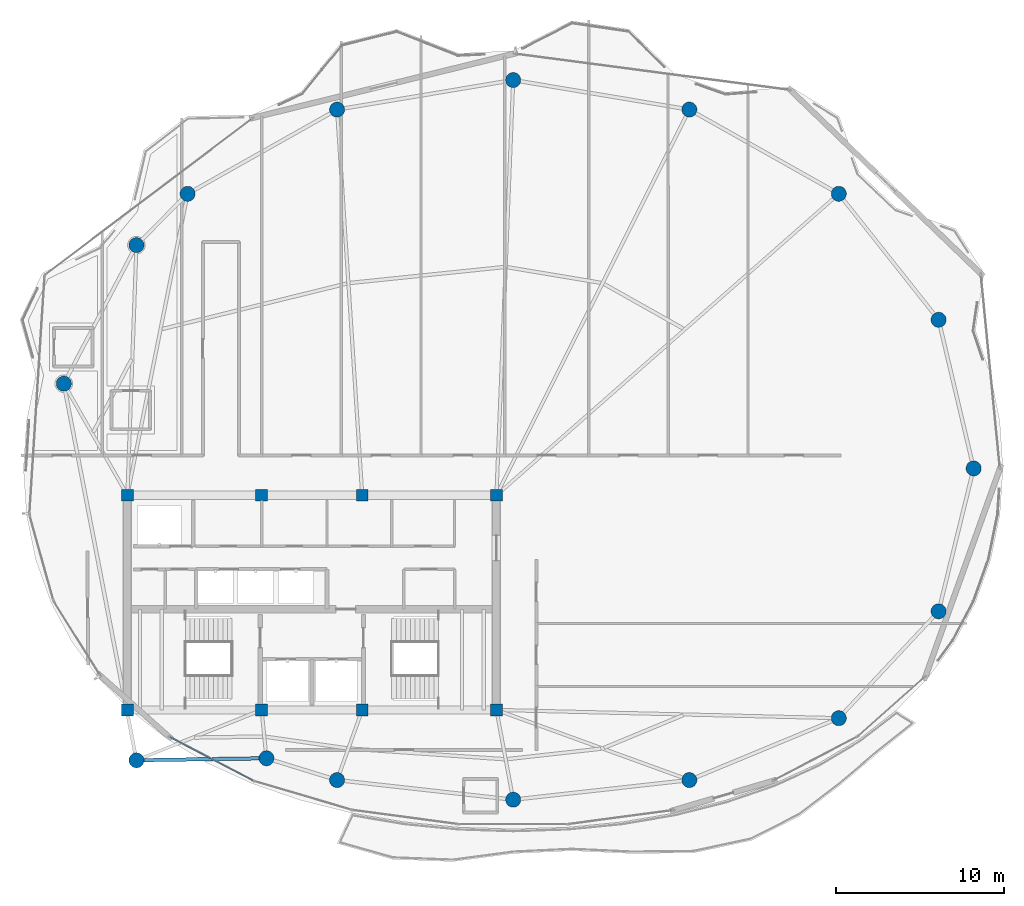
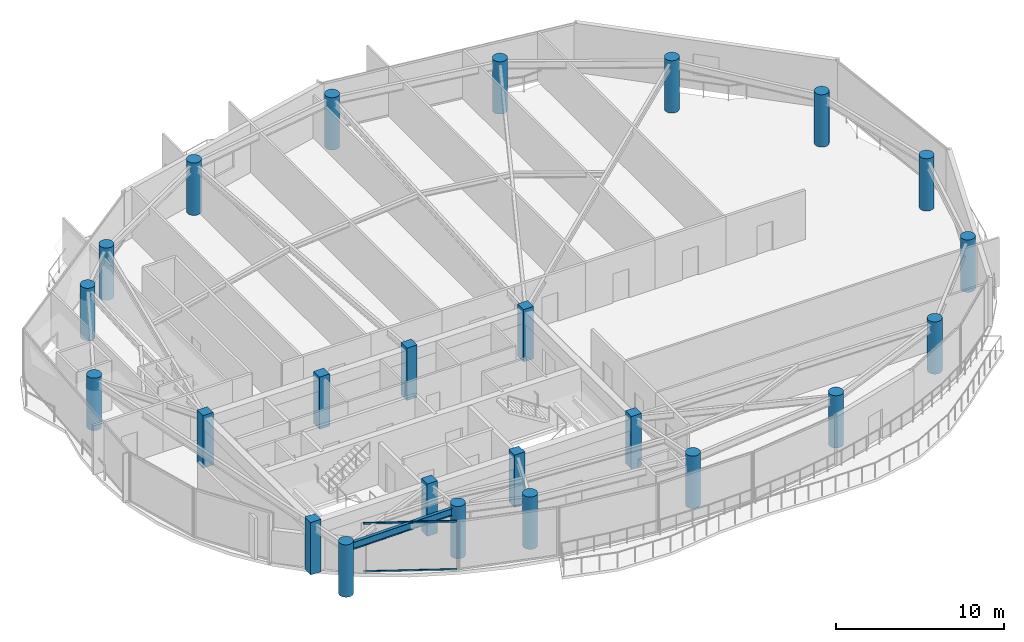
# One storey, part 1 of 29: 24 columns, 2 members, 1 beam, 1 element without a shape of its own.
"""IFC4 building model written with IfcOpenShell, lengths in metres."""

from ifc_helpers import new_model, si_unit, direction, frame, origin, origin_2d, place, context, subcontext, project, spatial, rectangle, hollow_rectangle, circle, i_section, extrude, material, layer, layer_set, material_profile, profile_set, type_object, element, aggregate, save


model = new_model("IFC4")

# Units and contexts
model_context = context("Model", 3, precision=1e-05, world=origin(), true_north=direction((0.0, 1.0)))
body_context = subcontext(model_context, "Body", "Model", "MODEL_VIEW")
ifc_project = project(units=[si_unit("LENGTHUNIT", "METRE"), si_unit("AREAUNIT", "SQUARE_METRE"), si_unit("VOLUMEUNIT", "CUBIC_METRE"), si_unit("PLANEANGLEUNIT", "RADIAN"), si_unit("MASSUNIT", "GRAM", prefix="KILO")], contexts=[model_context])

# Site, building, storey
site_placement = place(None, origin())
site = spatial("IfcSite", under=ifc_project, at=site_placement, CompositionType="ELEMENT")
building_placement = place(site_placement, origin())
building = spatial("IfcBuilding", under=site, at=building_placement, Name="Kazevale Care Tower and Concert Hall", CompositionType="ELEMENT")
storey_placement = place(building_placement, frame((0.0, 0.0, 262.39990234375)))
storey = spatial("IfcBuildingStorey", under=building, at=storey_placement, Name="L69", CompositionType="ELEMENT", Elevation=262.39990234375)

# Columns
ifc_material_1 = material(Name="Concrete C50", Category="concrete")
ifc_material_profile_1 = material_profile(ifc_material_1, rectangle(XDim=0.699951171875, YDim=0.699951171875, at=origin_2d()), Name="RC-SQ700")
ifc_profile_set_1 = profile_set([ifc_material_profile_1], Name="Concrete C50")
column_type_1 = type_object("IfcColumnType", Name="Core Column SQ700 C50", PredefinedType="COLUMN", material=ifc_profile_set_1)
for number, where, z_axis, x_axis, name in (
    (1, (22.0, 23.60009765625, 0.0), (0.0, 0.0, 1.0), (1.0, 0.0, 0.0), "col:L69:CC-01"),
    (2, (30.0, 23.60009765625, 0.0), (0.0, 0.0, 1.0), (1.0, 0.0, 0.0), "col:L69:CC-02"),
    (3, (36.0, 23.60009765625, 0.0), (0.0, 0.0, 1.0), (1.0, 0.0, 0.0), "col:L69:CC-03"),
    (4, (44.0, 23.60009765625, 0.0), (0.0, 0.0, 1.0), (1.0, 0.0, 0.0), "col:L69:CC-04"),
    (5, (44.0, 36.39990234375, 0.0), (0.0, 0.0, 1.0), (1.0, 0.0, 0.0), "col:L69:CC-05"),
    (6, (36.0, 36.39990234375, 0.0), (0.0, 0.0, 1.0), (1.0, 0.0, 0.0), "col:L69:CC-06"),
    (7, (30.0, 36.39990234375, 0.0), (0.0, 0.0, 1.0), (1.0, 0.0, 0.0), "col:L69:CC-07"),
    (8, (22.0, 36.39990234375, 0.0), (0.0, 0.0, 1.0), (1.0, 0.0, 0.0), "col:L69:CC-08"),
):
    element("IfcColumn", number, at=place(storey_placement, frame(where, z_axis=z_axis, x_axis=x_axis)), inside=storey, type_object=column_type_1, Name=name, PredefinedType="COLUMN", context=body_context, shape_type="SweptSolid", body=[
        extrude(rectangle(XDim=0.699951171875, YDim=0.699951171875, at=origin_2d()), origin(), (0.0, 0.0, 1.0), 3.800048828125),
    ])
ifc_material_profile_2 = material_profile(ifc_material_1, circle(Radius=0.449951171875, at=origin_2d()), Name="RC-CIR900")
ifc_profile_set_2 = profile_set([ifc_material_profile_2], Name="Concrete C50")
column_type_2 = type_object("IfcColumnType", Name="Perimeter Column CIR900 C50", PredefinedType="COLUMN", material=ifc_profile_set_2)
for number, where, z_axis, x_axis, name in (
    (9, (72.449951171875, 38.0, 0.0), (0.0, 0.0, 1.0), (1.0, 0.0, 0.0), "col:L69:PC-01"),
    (10, (70.360107421875, 46.860107421875, 0.0), (0.0, 0.0, 1.0), (1.0, 0.0, 0.0), "col:L69:PC-02"),
    (11, (64.409912109375, 54.3701171875, 0.0), (0.0, 0.0, 1.0), (1.0, 0.0, 0.0), "col:L69:PC-03"),
    (12, (55.5, 59.389892578125, 0.0), (0.0, 0.0, 1.0), (1.0, 0.0, 0.0), "col:L69:PC-04"),
    (13, (45.0, 61.14990234375, 0.0), (0.0, 0.0, 1.0), (1.0, 0.0, 0.0), "col:L69:PC-05"),
    (14, (34.5, 59.389892578125, 0.0), (0.0, 0.0, 1.0), (1.0, 0.0, 0.0), "col:L69:PC-06"),
    (15, (25.590087890625, 54.3701171875, 0.0), (0.0, 0.0, 1.0), (1.0, 0.0, 0.0), "col:L69:PC-07"),
    (16, (22.5400390625, 51.31005859375, 0.0), (0.0, 0.0, 1.0), (1.0, 0.0, 0.0), "col:L69:PC-08"),
    (17, (18.2099609375, 43.050048828125, 0.0), (0.0, 0.0, 1.0), (1.0, 0.0, 0.0), "col:L69:PC-09"),
    (18, (22.5400390625, 20.60009765625, 0.0), (0.0, 0.0, 1.0), (1.0, 0.0, 0.0), "col:L69:PC-10"),
    (19, (30.2900390625, 20.719970703125, 0.0), (0.0, 0.0, 1.0), (1.0, 0.0, 0.0), "col:L69:PC-11"),
    (20, (34.5, 19.419921875, 0.0), (0.0, 0.0, 1.0), (1.0, 0.0, 0.0), "col:L69:PC-12"),
    (21, (45.0, 18.25, 0.0), (0.0, 0.0, 1.0), (1.0, 0.0, 0.0), "col:L69:PC-13"),
    (22, (55.5, 19.419921875, 0.0), (0.0, 0.0, 1.0), (1.0, 0.0, 0.0), "col:L69:PC-14"),
    (23, (64.409912109375, 23.110107421875, 0.0), (0.0, 0.0, 1.0), (1.0, 0.0, 0.0), "col:L69:PC-15"),
    (24, (70.360107421875, 29.47998046875, 0.0), (0.0, 0.0, 1.0), (1.0, 0.0, 0.0), "col:L69:PC-16"),
):
    element("IfcColumn", number, at=place(storey_placement, frame(where, z_axis=z_axis, x_axis=x_axis)), inside=storey, type_object=column_type_2, Name=name, PredefinedType="COLUMN", context=body_context, shape_type="SweptSolid", body=[
        extrude(circle(Radius=0.449951171875, at=origin_2d()), origin(), (0.0, 0.0, 1.0), 3.800048828125),
    ])

# Curtain wall, members
ifc_material_2 = material(Name="Aluminium 6063-T6 and Low-E Glass", Category="aluminium")
ifc_layer = layer(ifc_material_2, 0.179931640625)
ifc_layer_set = layer_set([ifc_layer], Name="Aluminium 6063-T6 and Low-E Glass")
curtain_wall_type = type_object("IfcCurtainWallType", Name="Sheltered Concave Balcony Curtain Wall CW-5", PredefinedType="NOTDEFINED", material=ifc_layer_set)
curtain_wall_placement = place(storey_placement, origin())
curtain_wall = element("IfcCurtainWall", 25, at=curtain_wall_placement, inside=storey, type_object=curtain_wall_type, Name="cw:L69:f09", PredefinedType="NOTDEFINED")
ifc_material_3 = material(Name="Aluminium 6063-T6", Category="aluminium")
ifc_material_profile_3 = material_profile(ifc_material_3, hollow_rectangle(XDim=0.074951171875, YDim=0.1201171875, WallThickness=0.00390625, at=origin_2d()), Name="ALU75x120x4")
ifc_profile_set_3 = profile_set([ifc_material_profile_3], Name="Aluminium 6063-T6")
member_type = type_object("IfcMemberType", Name="CW-5 Transom ALU75x120x4", PredefinedType="USERDEFINED", material=ifc_profile_set_3)
member_1_placement = place(storey_placement, frame((29.464599609375, 19.399658203125, 0.03759765625), z_axis=(-0.885987336027, 0.463709435314, 0.0), x_axis=(-0.463709435314, -0.885987336027, 0.0)))
member_1 = element("IfcMember", 26, at=member_1_placement, type_object=member_type, Name="CW-5 transom 1.1", ObjectType="TRANSOM", PredefinedType="USERDEFINED", context=body_context, shape_type="SweptSolid", body=[
    extrude(hollow_rectangle(XDim=0.074951171875, YDim=0.1201171875, WallThickness=0.00390625, at=origin_2d()), origin(), (0.0, 0.0, 1.0), 5.580322265625),
])
member_2_placement = place(storey_placement, frame((29.464599609375, 19.399658203125, 3.522705078125), z_axis=(-0.885987336027, 0.463709435314, 0.0), x_axis=(-0.463709435314, -0.885987336027, 0.0)))
member_2 = element("IfcMember", 27, at=member_2_placement, type_object=member_type, Name="CW-5 transom 1.2", ObjectType="TRANSOM", PredefinedType="USERDEFINED", context=body_context, shape_type="SweptSolid", body=[
    extrude(hollow_rectangle(XDim=0.074951171875, YDim=0.1201171875, WallThickness=0.00390625, at=origin_2d()), origin(), (0.0, 0.0, 1.0), 5.580322265625),
])
aggregate(curtain_wall, [member_1, member_2])

# Beam
ifc_material_4 = material(Name="Steel ASTM A572 Gr 50", Category="steel")
ifc_material_profile_4 = material_profile(ifc_material_4, i_section(OverallWidth=0.208984375, OverallDepth=0.532958984375, WebThickness=0.01025390625, FlangeThickness=0.015625, at=origin_2d()), Name="W530x92")
ifc_profile_set_4 = profile_set([ifc_material_profile_4], Name="Steel ASTM A572 Gr 50")
beam_type = type_object("IfcBeamType", Name="Upper Ring Beam W530x92", PredefinedType="BEAM", material=ifc_profile_set_4)
beam_placement = place(storey_placement, frame((22.5400390625, 20.60009765625, 3.293701171875), z_axis=(0.999880399838, 0.015465640005, 0.0), x_axis=(-0.015465640005, 0.999880399838, 0.0)))
element("IfcBeam", 28, at=beam_placement, inside=storey, type_object=beam_type, Name="beam:L69:ring:10", PredefinedType="BEAM", context=body_context, shape_type="SweptSolid", body=[
    extrude(i_section(OverallWidth=0.208984375, OverallDepth=0.532958984375, WebThickness=0.01025390625, FlangeThickness=0.015625, at=origin_2d()), origin(), (0.0, 0.0, 1.0), 7.7509765625),
])

save(model, "model.ifc")
